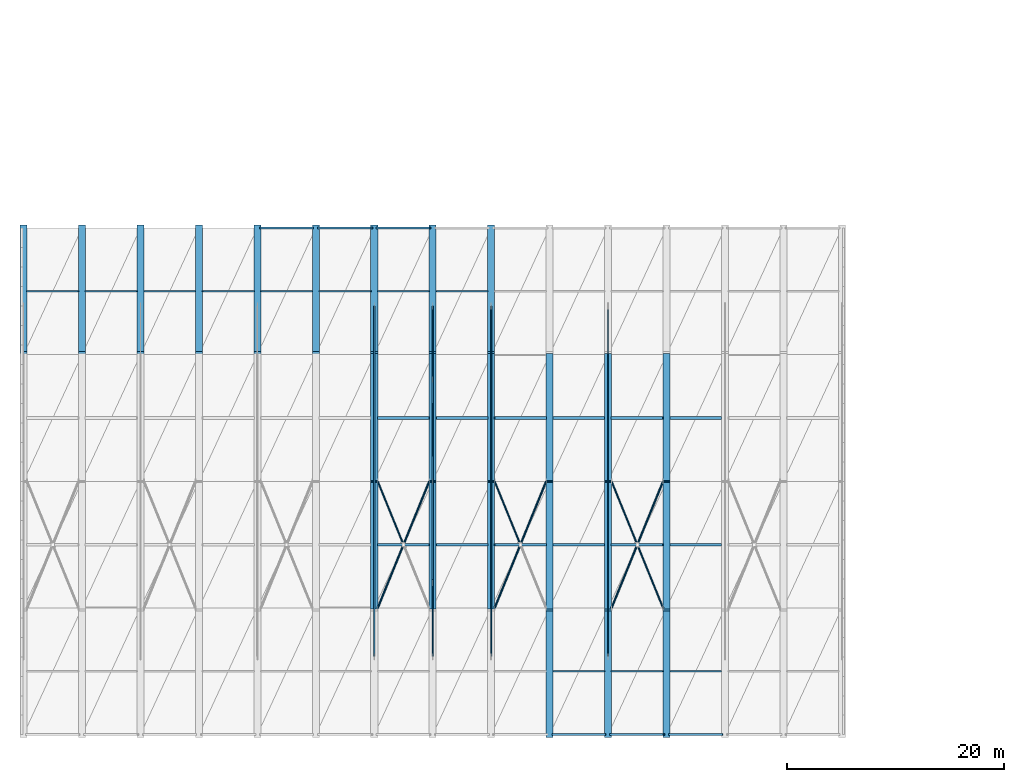
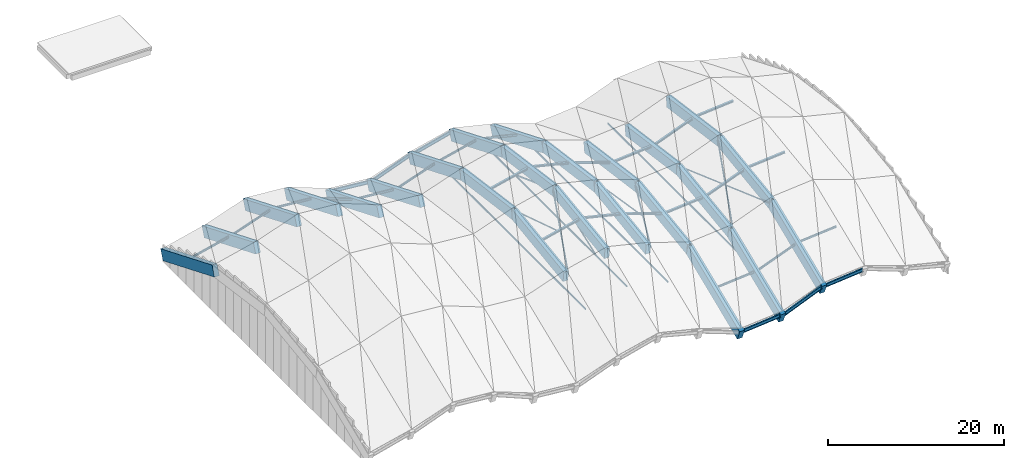
# One storey, part 2 of 22: 36 members, 30 beams.
"""IFC4 building model written with IfcOpenShell, lengths in metres."""

from ifc_helpers import new_model, si_unit, direction, frame, origin, origin_2d, place, context, subcontext, project, spatial, rectangle, hollow_rectangle, hollow_circle, i_section, extrude, material, material_profile, profile_set, type_object, element, save


model = new_model("IFC4")

# Units and contexts
model_context = context("Model", 3, precision=1e-05, world=origin(), true_north=direction((0.0, 1.0)))
body_context = subcontext(model_context, "Body", "Model", "MODEL_VIEW")
ifc_project = project(units=[si_unit("LENGTHUNIT", "METRE"), si_unit("AREAUNIT", "SQUARE_METRE"), si_unit("VOLUMEUNIT", "CUBIC_METRE"), si_unit("PLANEANGLEUNIT", "RADIAN"), si_unit("MASSUNIT", "GRAM", prefix="KILO")], contexts=[model_context])

# Site, building, storey
site_placement = place(None, origin())
site = spatial("IfcSite", under=ifc_project, at=site_placement, CompositionType="ELEMENT")
building_placement = place(site_placement, origin())
building = spatial("IfcBuilding", under=site, at=building_placement, Name="Lusvemor Sports Hall", CompositionType="ELEMENT")
storey_placement = place(building_placement, frame((0.0, 0.0, 23.39990234375)))
storey = spatial("IfcBuildingStorey", under=building, at=storey_placement, Name="Roof", CompositionType="ELEMENT", Elevation=23.39990234375)

# Beams
ifc_material_1 = material(Name="Concrete C40/50", Category="concrete")
ifc_material_profile_1 = material_profile(ifc_material_1, rectangle(XDim=0.64990234375, YDim=1.449951171875, at=origin_2d()), Name="RC650x1450")
ifc_profile_set_1 = profile_set([ifc_material_profile_1], Name="Concrete C40/50")
beam_type_1 = type_object("IfcBeamType", Name="ARCH_RIB_V1", PredefinedType="T_BEAM", material=ifc_profile_set_1)
for number, where, z_axis, x_axis, name in (
    (1, (0.0, 35.10009765625, -7.052490234375), (0.0, 0.924542194829, -0.381079689804), (-1.0, 0.0, 0.0), "Wave Barrel-Vault Arch Rib S00 Seg 4"),
    (2, (5.39990234375, 35.10009765625, -5.76171875), (0.0, 0.924542194829, -0.381079689804), (-1.0, 0.0, 0.0), "Wave Barrel-Vault Arch Rib S01 Seg 4"),
    (3, (10.800048828125, 35.10009765625, -3.896728515625), (0.0, 0.924542194829, -0.381079689804), (-1.0, 0.0, 0.0), "Wave Barrel-Vault Arch Rib S02 Seg 4"),
    (4, (16.199951171875, 35.10009765625, -4.357421875), (0.0, 0.924542194829, -0.381079689804), (-1.0, 0.0, 0.0), "Wave Barrel-Vault Arch Rib S03 Seg 4"),
    (5, (21.60009765625, 35.10009765625, -6.427490234375), (0.0, 0.924542194829, -0.381079689804), (-1.0, 0.0, 0.0), "Wave Barrel-Vault Arch Rib S04 Seg 4"),
    (6, (27.0, 35.10009765625, -6.887939453125), (0.0, 0.924542194829, -0.381079689804), (-1.0, 0.0, 0.0), "Wave Barrel-Vault Arch Rib S05 Seg 4"),
):
    element("IfcBeam", number, at=place(storey_placement, frame(where, z_axis=z_axis, x_axis=x_axis)), inside=storey, type_object=beam_type_1, Name=name, PredefinedType="T_BEAM", context=body_context, shape_type="SweptSolid", body=[
        extrude(rectangle(XDim=0.64990234375, YDim=1.449951171875, at=origin_2d()), origin(), (0.0, 0.0, 1.0), 12.65478515625),
    ])
beam_1_placement = place(storey_placement, frame((32.39990234375, 11.699951171875, -5.02294921875), z_axis=(0.0, 0.990693933235, 0.136108525268), x_axis=(-1.0, 0.0, 0.0)))
element("IfcBeam", 7, at=beam_1_placement, inside=storey, type_object=beam_type_1, Name="Wave Barrel-Vault Arch Rib S06 Seg 2", PredefinedType="T_BEAM", context=body_context, shape_type="SweptSolid", body=[
    extrude(rectangle(XDim=0.64990234375, YDim=1.449951171875, at=origin_2d()), origin(), (0.0, 0.0, 1.0), 11.809814453125),
])
beam_2_placement = place(storey_placement, frame((32.39990234375, 23.39990234375, -3.41552734375), z_axis=(0.0, 0.990694316195, -0.13610573779), x_axis=(-1.0, 0.0, 0.0)))
element("IfcBeam", 8, at=beam_2_placement, inside=storey, type_object=beam_type_1, Name="Wave Barrel-Vault Arch Rib S06 Seg 3", PredefinedType="T_BEAM", context=body_context, shape_type="SweptSolid", body=[
    extrude(rectangle(XDim=0.64990234375, YDim=1.449951171875, at=origin_2d()), origin(), (0.0, 0.0, 1.0), 11.81005859375),
])
beam_3_placement = place(storey_placement, frame((32.39990234375, 35.10009765625, -5.02294921875), z_axis=(0.0, 0.924542194829, -0.381079689804), x_axis=(-1.0, 0.0, 0.0)))
element("IfcBeam", 9, at=beam_3_placement, inside=storey, type_object=beam_type_1, Name="Wave Barrel-Vault Arch Rib S06 Seg 4", PredefinedType="T_BEAM", context=body_context, shape_type="SweptSolid", body=[
    extrude(rectangle(XDim=0.64990234375, YDim=1.449951171875, at=origin_2d()), origin(), (0.0, 0.0, 1.0), 12.65478515625),
])
beam_4_placement = place(storey_placement, frame((37.800048828125, 11.699951171875, -3.732421875), z_axis=(0.0, 0.990693933235, 0.136108525268), x_axis=(-1.0, 0.0, 0.0)))
element("IfcBeam", 10, at=beam_4_placement, inside=storey, type_object=beam_type_1, Name="Wave Barrel-Vault Arch Rib S07 Seg 2", PredefinedType="T_BEAM", context=body_context, shape_type="SweptSolid", body=[
    extrude(rectangle(XDim=0.64990234375, YDim=1.449951171875, at=origin_2d()), origin(), (0.0, 0.0, 1.0), 11.809814453125),
])
beam_5_placement = place(storey_placement, frame((37.800048828125, 23.39990234375, -2.125), z_axis=(0.0, 0.990694316195, -0.13610573779), x_axis=(-1.0, 0.0, 0.0)))
element("IfcBeam", 11, at=beam_5_placement, inside=storey, type_object=beam_type_1, Name="Wave Barrel-Vault Arch Rib S07 Seg 3", PredefinedType="T_BEAM", context=body_context, shape_type="SweptSolid", body=[
    extrude(rectangle(XDim=0.64990234375, YDim=1.449951171875, at=origin_2d()), origin(), (0.0, 0.0, 1.0), 11.81005859375),
])
beam_6_placement = place(storey_placement, frame((37.800048828125, 35.10009765625, -3.732421875), z_axis=(0.0, 0.924542194829, -0.381079689804), x_axis=(-1.0, 0.0, 0.0)))
element("IfcBeam", 12, at=beam_6_placement, inside=storey, type_object=beam_type_1, Name="Wave Barrel-Vault Arch Rib S07 Seg 4", PredefinedType="T_BEAM", context=body_context, shape_type="SweptSolid", body=[
    extrude(rectangle(XDim=0.64990234375, YDim=1.449951171875, at=origin_2d()), origin(), (0.0, 0.0, 1.0), 12.65478515625),
])
beam_7_placement = place(storey_placement, frame((43.199951171875, 11.699951171875, -5.02294921875), z_axis=(0.0, 0.990693933235, 0.136108525268), x_axis=(-1.0, 0.0, 0.0)))
element("IfcBeam", 13, at=beam_7_placement, inside=storey, type_object=beam_type_1, Name="Wave Barrel-Vault Arch Rib S08 Seg 2", PredefinedType="T_BEAM", context=body_context, shape_type="SweptSolid", body=[
    extrude(rectangle(XDim=0.64990234375, YDim=1.449951171875, at=origin_2d()), origin(), (0.0, 0.0, 1.0), 11.809814453125),
])
beam_8_placement = place(storey_placement, frame((43.199951171875, 23.39990234375, -3.41552734375), z_axis=(0.0, 0.990694316195, -0.13610573779), x_axis=(-1.0, 0.0, 0.0)))
element("IfcBeam", 14, at=beam_8_placement, inside=storey, type_object=beam_type_1, Name="Wave Barrel-Vault Arch Rib S08 Seg 3", PredefinedType="T_BEAM", context=body_context, shape_type="SweptSolid", body=[
    extrude(rectangle(XDim=0.64990234375, YDim=1.449951171875, at=origin_2d()), origin(), (0.0, 0.0, 1.0), 11.81005859375),
])
for number, where, z_axis, x_axis, name in (
    (15, (43.199951171875, 35.10009765625, -5.02294921875), (0.0, 0.924542194829, -0.381079689804), (-1.0, 0.0, 0.0), "Wave Barrel-Vault Arch Rib S08 Seg 4"),
    (16, (48.60009765625, 0.0, -11.71044921875), (0.0, 0.924542194829, 0.381079689804), (-1.0, 0.0, 0.0), "Wave Barrel-Vault Arch Rib S09 Seg 1"),
):
    element("IfcBeam", number, at=place(storey_placement, frame(where, z_axis=z_axis, x_axis=x_axis)), inside=storey, type_object=beam_type_1, Name=name, PredefinedType="T_BEAM", context=body_context, shape_type="SweptSolid", body=[
        extrude(rectangle(XDim=0.64990234375, YDim=1.449951171875, at=origin_2d()), origin(), (0.0, 0.0, 1.0), 12.65478515625),
    ])
beam_9_placement = place(storey_placement, frame((48.60009765625, 11.699951171875, -6.887939453125), z_axis=(0.0, 0.990693933235, 0.136108525268), x_axis=(-1.0, 0.0, 0.0)))
element("IfcBeam", 17, at=beam_9_placement, inside=storey, type_object=beam_type_1, Name="Wave Barrel-Vault Arch Rib S09 Seg 2", PredefinedType="T_BEAM", context=body_context, shape_type="SweptSolid", body=[
    extrude(rectangle(XDim=0.64990234375, YDim=1.449951171875, at=origin_2d()), origin(), (0.0, 0.0, 1.0), 11.809814453125),
])
beam_10_placement = place(storey_placement, frame((48.60009765625, 23.39990234375, -5.280517578125), z_axis=(0.0, 0.990694316195, -0.13610573779), x_axis=(-1.0, 0.0, 0.0)))
element("IfcBeam", 18, at=beam_10_placement, inside=storey, type_object=beam_type_1, Name="Wave Barrel-Vault Arch Rib S09 Seg 3", PredefinedType="T_BEAM", context=body_context, shape_type="SweptSolid", body=[
    extrude(rectangle(XDim=0.64990234375, YDim=1.449951171875, at=origin_2d()), origin(), (0.0, 0.0, 1.0), 11.81005859375),
])
beam_11_placement = place(storey_placement, frame((54.0, 0.0, -11.25), z_axis=(0.0, 0.924542194829, 0.381079689804), x_axis=(-1.0, 0.0, 0.0)))
element("IfcBeam", 19, at=beam_11_placement, inside=storey, type_object=beam_type_1, Name="Wave Barrel-Vault Arch Rib S10 Seg 1", PredefinedType="T_BEAM", context=body_context, shape_type="SweptSolid", body=[
    extrude(rectangle(XDim=0.64990234375, YDim=1.449951171875, at=origin_2d()), origin(), (0.0, 0.0, 1.0), 12.65478515625),
])
beam_12_placement = place(storey_placement, frame((54.0, 11.699951171875, -6.427490234375), z_axis=(0.0, 0.9906911455, 0.13612881483), x_axis=(-1.0, 0.0, 0.0)))
element("IfcBeam", 20, at=beam_12_placement, inside=storey, type_object=beam_type_1, Name="Wave Barrel-Vault Arch Rib S10 Seg 2", PredefinedType="T_BEAM", context=body_context, shape_type="SweptSolid", body=[
    extrude(rectangle(XDim=0.64990234375, YDim=1.449951171875, at=origin_2d()), origin(), (0.0, 0.0, 1.0), 11.809814453125),
])
beam_13_placement = place(storey_placement, frame((54.0, 23.39990234375, -4.81982421875), z_axis=(0.0, 0.990691528573, -0.136126026952), x_axis=(-1.0, 0.0, 0.0)))
element("IfcBeam", 21, at=beam_13_placement, inside=storey, type_object=beam_type_1, Name="Wave Barrel-Vault Arch Rib S10 Seg 3", PredefinedType="T_BEAM", context=body_context, shape_type="SweptSolid", body=[
    extrude(rectangle(XDim=0.64990234375, YDim=1.449951171875, at=origin_2d()), origin(), (0.0, 0.0, 1.0), 11.81005859375),
])
beam_14_placement = place(storey_placement, frame((59.39990234375, 0.0, -9.179931640625), z_axis=(0.0, 0.924542194829, 0.381079689804), x_axis=(-1.0, 0.0, 0.0)))
element("IfcBeam", 22, at=beam_14_placement, inside=storey, type_object=beam_type_1, Name="Wave Barrel-Vault Arch Rib S11 Seg 1", PredefinedType="T_BEAM", context=body_context, shape_type="SweptSolid", body=[
    extrude(rectangle(XDim=0.64990234375, YDim=1.449951171875, at=origin_2d()), origin(), (0.0, 0.0, 1.0), 12.65478515625),
])
beam_15_placement = place(storey_placement, frame((59.39990234375, 11.699951171875, -4.357421875), z_axis=(0.0, 0.990693933235, 0.136108525268), x_axis=(-1.0, 0.0, 0.0)))
element("IfcBeam", 23, at=beam_15_placement, inside=storey, type_object=beam_type_1, Name="Wave Barrel-Vault Arch Rib S11 Seg 2", PredefinedType="T_BEAM", context=body_context, shape_type="SweptSolid", body=[
    extrude(rectangle(XDim=0.64990234375, YDim=1.449951171875, at=origin_2d()), origin(), (0.0, 0.0, 1.0), 11.809814453125),
])
beam_16_placement = place(storey_placement, frame((59.39990234375, 23.39990234375, -2.75), z_axis=(0.0, 0.990694316195, -0.13610573779), x_axis=(-1.0, 0.0, 0.0)))
element("IfcBeam", 24, at=beam_16_placement, inside=storey, type_object=beam_type_1, Name="Wave Barrel-Vault Arch Rib S11 Seg 3", PredefinedType="T_BEAM", context=body_context, shape_type="SweptSolid", body=[
    extrude(rectangle(XDim=0.64990234375, YDim=1.449951171875, at=origin_2d()), origin(), (0.0, 0.0, 1.0), 11.81005859375),
])

# Members
ifc_material_2 = material(Name="Steel S355", Category="steel")
ifc_material_profile_2 = material_profile(ifc_material_2, hollow_circle(Radius=0.084228515625, WallThickness=0.008056640625, at=origin_2d()), Name="CHS168.3x8.0")
ifc_profile_set_2 = profile_set([ifc_material_profile_2], Name="Steel S355")
member_type_1 = type_object("IfcMemberType", Name="BRACE_ROOF_168", PredefinedType="BRACE", material=ifc_profile_set_2)
member_1_placement = place(storey_placement, frame((32.719970703125, 23.39990234375, -3.260498046875), z_axis=(0.376743898559, -0.925978270579, -0.02506546057), x_axis=(0.926269293289, 0.376862304178, 0.0)))
element("IfcMember", 25, at=member_1_placement, inside=storey, type_object=member_type_1, Name="Wave Roof Brace 07-B1", PredefinedType="BRACE", context=body_context, shape_type="SweptSolid", body=[
    extrude(hollow_circle(Radius=0.084228515625, WallThickness=0.008056640625, at=origin_2d()), origin(), (0.0, 0.0, 1.0), 6.087646484375),
])
member_2_placement = place(storey_placement, frame((43.52001953125, 23.39990234375, -3.260498046875), z_axis=(0.363359918134, -0.893140687566, -0.265083537979), x_axis=(0.926277861493, 0.37684124417, 0.0)))
element("IfcMember", 26, at=member_2_placement, inside=storey, type_object=member_type_1, Name="Wave Roof Brace 09-B1", PredefinedType="BRACE", context=body_context, shape_type="SweptSolid", body=[
    extrude(hollow_circle(Radius=0.084228515625, WallThickness=0.008056640625, at=origin_2d()), origin(), (0.0, 0.0, 1.0), 6.31982421875),
])
member_3_placement = place(storey_placement, frame((54.320068359375, 23.39990234375, -4.664794921875), z_axis=(0.376575916319, -0.925663933982, 0.03656310398), x_axis=(0.926283296861, 0.376827883729, 0.0)))
element("IfcMember", 27, at=member_3_placement, inside=storey, type_object=member_type_1, Name="Wave Roof Brace 11-B1", PredefinedType="BRACE", context=body_context, shape_type="SweptSolid", body=[
    extrude(hollow_circle(Radius=0.084228515625, WallThickness=0.008056640625, at=origin_2d()), origin(), (0.0, 0.0, 1.0), 6.089599609375),
])
member_4_placement = place(storey_placement, frame((56.78662109375, 17.337158203125, -4.42529296875), z_axis=(0.376595793631, -0.925654340531, 0.036601230529), x_axis=(0.926274990645, 0.376848300655, 0.0)))
element("IfcMember", 28, at=member_4_placement, inside=storey, type_object=member_type_1, Name="Wave Roof Brace 11-B2", PredefinedType="BRACE", context=body_context, shape_type="SweptSolid", body=[
    extrude(hollow_circle(Radius=0.084228515625, WallThickness=0.008056640625, at=origin_2d()), origin(), (0.0, 0.0, 1.0), 6.090087890625),
])
ifc_material_3 = material(Name="Steel S355", Category="steel")
ifc_material_profile_3 = material_profile(ifc_material_3, hollow_circle(Radius=0.096923828125, WallThickness=0.010009765625, at=origin_2d()), Name="CHS193.7x10.0")
ifc_profile_set_3 = profile_set([ifc_material_profile_3], Name="Steel S355")
member_type_2 = type_object("IfcMemberType", Name="BRACE_ROOF_193", PredefinedType="BRACE", material=ifc_profile_set_3)
member_5_placement = place(storey_placement, frame((32.719970703125, 11.699951171875, -4.867919921875), z_axis=(0.367303226969, 0.9028195387, 0.22361846972), x_axis=(-0.92627584737, 0.376846194858, 0.0)))
element("IfcMember", 29, at=member_5_placement, inside=storey, type_object=member_type_2, Name="Wave Roof Brace 07-A", PredefinedType="BRACE", context=body_context, shape_type="SweptSolid", body=[
    extrude(hollow_circle(Radius=0.096923828125, WallThickness=0.010009765625, at=origin_2d()), origin(), (0.0, 0.0, 1.0), 12.959228515625),
])
member_6_placement = place(storey_placement, frame((43.52001953125, 11.699951171875, -4.867919921875), z_axis=(0.376767870592, 0.92608332884, -0.02038724437), x_axis=(-0.92627584737, 0.376846194858, 0.0)))
element("IfcMember", 30, at=member_6_placement, inside=storey, type_object=member_type_2, Name="Wave Roof Brace 09-A", PredefinedType="BRACE", context=body_context, shape_type="SweptSolid", body=[
    extrude(hollow_circle(Radius=0.096923828125, WallThickness=0.010009765625, at=origin_2d()), origin(), (0.0, 0.0, 1.0), 12.6337890625),
])
member_7_placement = place(storey_placement, frame((54.320068359375, 11.699951171875, -6.2724609375), z_axis=(0.361823140295, 0.889349661608, 0.279537465367), x_axis=(-0.92627584737, 0.376846194858, 0.0)))
element("IfcMember", 31, at=member_7_placement, inside=storey, type_object=member_type_2, Name="Wave Roof Brace 11-A", PredefinedType="BRACE", context=body_context, shape_type="SweptSolid", body=[
    extrude(hollow_circle(Radius=0.096923828125, WallThickness=0.010009765625, at=origin_2d()), origin(), (0.0, 0.0, 1.0), 13.155517578125),
])
ifc_material_4 = material(Name="Steel S355", Category="steel")
ifc_material_profile_4 = material_profile(ifc_material_4, i_section(OverallWidth=0.14794921875, OverallDepth=0.26611328125, WebThickness=0.007568359375, FlangeThickness=0.012939453125, FilletRadius=0.012939453125, at=origin_2d()), Name="W250x44.8")
ifc_profile_set_4 = profile_set([ifc_material_profile_4], Name="Steel S355")
member_type_3 = type_object("IfcMemberType", Name="PURL_WAVE_250", PredefinedType="PURLIN", material=ifc_profile_set_4)
member_8_placement = place(storey_placement, frame((0.320068359375, 40.949951171875, -8.861328125), z_axis=(0.972616410146, 0.0, 0.232416261726), x_axis=(0.0, 1.0, 0.0)))
element("IfcMember", 32, at=member_8_placement, inside=storey, type_object=member_type_3, Name="Wave Roof Purlin 01-4", PredefinedType="PURLIN", context=body_context, shape_type="SweptSolid", body=[
    extrude(i_section(OverallWidth=0.14794921875, OverallDepth=0.26611328125, WebThickness=0.007568359375, FlangeThickness=0.012939453125, FilletRadius=0.012939453125, at=origin_2d()), origin(), (0.0, 0.0, 1.0), 4.89404296875),
])
member_9_placement = place(storey_placement, frame((5.719970703125, 40.949951171875, -7.546142578125), z_axis=(0.945210062385, 0.0, 0.326462766585), x_axis=(0.0, 1.0, 0.0)))
element("IfcMember", 33, at=member_9_placement, inside=storey, type_object=member_type_3, Name="Wave Roof Purlin 02-4", PredefinedType="PURLIN", context=body_context, shape_type="SweptSolid", body=[
    extrude(i_section(OverallWidth=0.14794921875, OverallDepth=0.26611328125, WebThickness=0.007568359375, FlangeThickness=0.012939453125, FilletRadius=0.012939453125, at=origin_2d()), origin(), (0.0, 0.0, 1.0), 5.035888671875),
])
member_10_placement = place(storey_placement, frame((11.1201171875, 40.949951171875, -5.802001953125), z_axis=(0.996381726527, 0.0, -0.084990911531), x_axis=(0.0, 1.0, 0.0)))
element("IfcMember", 34, at=member_10_placement, inside=storey, type_object=member_type_3, Name="Wave Roof Purlin 03-4", PredefinedType="PURLIN", context=body_context, shape_type="SweptSolid", body=[
    extrude(i_section(OverallWidth=0.14794921875, OverallDepth=0.26611328125, WebThickness=0.007568359375, FlangeThickness=0.012939453125, FilletRadius=0.012939453125, at=origin_2d()), origin(), (0.0, 0.0, 1.0), 4.777099609375),
])
member_11_placement = place(storey_placement, frame((16.52001953125, 40.949951171875, -6.379150390625), z_axis=(0.933759722314, 0.0, -0.357900518277), x_axis=(0.0, 1.0, 0.0)))
element("IfcMember", 35, at=member_11_placement, inside=storey, type_object=member_type_3, Name="Wave Roof Purlin 04-4", PredefinedType="PURLIN", context=body_context, shape_type="SweptSolid", body=[
    extrude(i_section(OverallWidth=0.14794921875, OverallDepth=0.26611328125, WebThickness=0.007568359375, FlangeThickness=0.012939453125, FilletRadius=0.012939453125, at=origin_2d()), origin(), (0.0, 0.0, 1.0), 5.09765625),
])
member_12_placement = place(storey_placement, frame((21.919921875, 40.949951171875, -8.33251953125), z_axis=(0.996382095668, 0.0, -0.084986583838), x_axis=(0.0, 1.0, 0.0)))
element("IfcMember", 36, at=member_12_placement, inside=storey, type_object=member_type_3, Name="Wave Roof Purlin 05-4", PredefinedType="PURLIN", context=body_context, shape_type="SweptSolid", body=[
    extrude(i_section(OverallWidth=0.14794921875, OverallDepth=0.26611328125, WebThickness=0.007568359375, FlangeThickness=0.012939453125, FilletRadius=0.012939453125, at=origin_2d()), origin(), (0.0, 0.0, 1.0), 4.77734375),
])
member_13_placement = place(storey_placement, frame((27.320068359375, 40.949951171875, -8.67236328125), z_axis=(0.945210062385, 0.0, 0.326462766585), x_axis=(0.0, 1.0, 0.0)))
element("IfcMember", 37, at=member_13_placement, inside=storey, type_object=member_type_3, Name="Wave Roof Purlin 06-4", PredefinedType="PURLIN", context=body_context, shape_type="SweptSolid", body=[
    extrude(i_section(OverallWidth=0.14794921875, OverallDepth=0.26611328125, WebThickness=0.007568359375, FlangeThickness=0.012939453125, FilletRadius=0.012939453125, at=origin_2d()), origin(), (0.0, 0.0, 1.0), 5.035888671875),
])
member_14_placement = place(storey_placement, frame((32.719970703125, 40.949951171875, -6.83203125), z_axis=(0.972605132435, 0.0, 0.232463451667), x_axis=(0.0, 1.0, 0.0)))
element("IfcMember", 38, at=member_14_placement, inside=storey, type_object=member_type_3, Name="Wave Roof Purlin 07-4", PredefinedType="PURLIN", context=body_context, shape_type="SweptSolid", body=[
    extrude(i_section(OverallWidth=0.14794921875, OverallDepth=0.26611328125, WebThickness=0.007568359375, FlangeThickness=0.012939453125, FilletRadius=0.012939453125, at=origin_2d()), origin(), (0.0, 0.0, 1.0), 4.89404296875),
])
member_15_placement = place(storey_placement, frame((38.1201171875, 40.949951171875, -5.6943359375), z_axis=(0.972602436498, 0.0, -0.232474730923), x_axis=(0.0, 1.0, 0.0)))
element("IfcMember", 39, at=member_15_placement, inside=storey, type_object=member_type_3, Name="Wave Roof Purlin 08-4", PredefinedType="PURLIN", context=body_context, shape_type="SweptSolid", body=[
    extrude(i_section(OverallWidth=0.14794921875, OverallDepth=0.26611328125, WebThickness=0.007568359375, FlangeThickness=0.012939453125, FilletRadius=0.012939453125, at=origin_2d()), origin(), (0.0, 0.0, 1.0), 4.893798828125),
])
member_16_placement = place(storey_placement, frame((48.919921875, 5.85009765625, -8.738525390625), z_axis=(0.996382095668, 0.0, 0.084986583838), x_axis=(0.0, 1.0, 0.0)))
element("IfcMember", 40, at=member_16_placement, inside=storey, type_object=member_type_3, Name="Wave Roof Purlin 10-1", PredefinedType="PURLIN", context=body_context, shape_type="SweptSolid", body=[
    extrude(i_section(OverallWidth=0.14794921875, OverallDepth=0.26611328125, WebThickness=0.007568359375, FlangeThickness=0.012939453125, FilletRadius=0.012939453125, at=origin_2d()), origin(), (0.0, 0.0, 1.0), 4.77734375),
])
member_17_placement = place(storey_placement, frame((54.320068359375, 5.85009765625, -8.20361328125), z_axis=(0.933759722314, 0.0, 0.357900518277), x_axis=(0.0, 1.0, 0.0)))
element("IfcMember", 41, at=member_17_placement, inside=storey, type_object=member_type_3, Name="Wave Roof Purlin 11-1", PredefinedType="PURLIN", context=body_context, shape_type="SweptSolid", body=[
    extrude(i_section(OverallWidth=0.14794921875, OverallDepth=0.26611328125, WebThickness=0.007568359375, FlangeThickness=0.012939453125, FilletRadius=0.012939453125, at=origin_2d()), origin(), (0.0, 0.0, 1.0), 5.09765625),
])
member_18_placement = place(storey_placement, frame((59.719970703125, 5.85009765625, -6.2080078125), z_axis=(0.996382095668, 0.0, 0.084986583838), x_axis=(0.0, 1.0, 0.0)))
element("IfcMember", 42, at=member_18_placement, inside=storey, type_object=member_type_3, Name="Wave Roof Purlin 12-1", PredefinedType="PURLIN", context=body_context, shape_type="SweptSolid", body=[
    extrude(i_section(OverallWidth=0.14794921875, OverallDepth=0.26611328125, WebThickness=0.007568359375, FlangeThickness=0.012939453125, FilletRadius=0.012939453125, at=origin_2d()), origin(), (0.0, 0.0, 1.0), 4.77734375),
])
ifc_material_5 = material(Name="Steel S355", Category="steel")
ifc_material_profile_5 = material_profile(ifc_material_5, i_section(OverallWidth=0.25390625, OverallDepth=0.2529296875, WebThickness=0.008544921875, FlangeThickness=0.01416015625, FilletRadius=0.012939453125, at=origin_2d()), Name="W250x73.0")
ifc_profile_set_5 = profile_set([ifc_material_profile_5], Name="Steel S355")
member_type_4 = type_object("IfcMemberType", Name="PURL_WAVE_250H", PredefinedType="PURLIN", material=ifc_profile_set_5)
for number, where, z_axis, x_axis, name in (
    (43, (32.719970703125, 17.550048828125, -3.59912109375), (0.972605132435, 0.0, 0.232463451667), (0.0, 1.0, 0.0), "Wave Roof Purlin 07-2"),
    (44, (32.719970703125, 29.25, -3.59912109375), (0.972605132435, 0.0, 0.232463451667), (0.0, 1.0, 0.0), "Wave Roof Purlin 07-3"),
):
    element("IfcMember", number, at=place(storey_placement, frame(where, z_axis=z_axis, x_axis=x_axis)), inside=storey, type_object=member_type_4, Name=name, PredefinedType="PURLIN", context=body_context, shape_type="SweptSolid", body=[
        extrude(i_section(OverallWidth=0.25390625, OverallDepth=0.2529296875, WebThickness=0.008544921875, FlangeThickness=0.01416015625, FilletRadius=0.012939453125, at=origin_2d()), origin(), (0.0, 0.0, 1.0), 4.89404296875),
    ])
for number, where, z_axis, x_axis, name in (
    (45, (38.1201171875, 17.550048828125, -2.46142578125), (0.972602436498, 0.0, -0.232474730923), (0.0, 1.0, 0.0), "Wave Roof Purlin 08-2"),
    (46, (38.1201171875, 29.25, -2.46142578125), (0.972602436498, 0.0, -0.232474730923), (0.0, 1.0, 0.0), "Wave Roof Purlin 08-3"),
):
    element("IfcMember", number, at=place(storey_placement, frame(where, z_axis=z_axis, x_axis=x_axis)), inside=storey, type_object=member_type_4, Name=name, PredefinedType="PURLIN", context=body_context, shape_type="SweptSolid", body=[
        extrude(i_section(OverallWidth=0.25390625, OverallDepth=0.2529296875, WebThickness=0.008544921875, FlangeThickness=0.01416015625, FilletRadius=0.012939453125, at=origin_2d()), origin(), (0.0, 0.0, 1.0), 4.893798828125),
    ])
for number, where, z_axis, x_axis, name in (
    (47, (43.52001953125, 17.550048828125, -3.796142578125), (0.945225021317, 0.0, -0.326419452661), (0.0, 1.0, 0.0), "Wave Roof Purlin 09-2"),
    (48, (43.52001953125, 29.25, -3.796142578125), (0.945225021317, 0.0, -0.326419452661), (0.0, 1.0, 0.0), "Wave Roof Purlin 09-3"),
):
    element("IfcMember", number, at=place(storey_placement, frame(where, z_axis=z_axis, x_axis=x_axis)), inside=storey, type_object=member_type_4, Name=name, PredefinedType="PURLIN", context=body_context, shape_type="SweptSolid", body=[
        extrude(i_section(OverallWidth=0.25390625, OverallDepth=0.2529296875, WebThickness=0.008544921875, FlangeThickness=0.01416015625, FilletRadius=0.012939453125, at=origin_2d()), origin(), (0.0, 0.0, 1.0), 5.035888671875),
    ])
for number, where, z_axis, x_axis, name in (
    (49, (48.919921875, 17.550048828125, -5.505126953125), (0.996382095668, 0.0, 0.084986583838), (0.0, 1.0, 0.0), "Wave Roof Purlin 10-2"),
    (50, (48.919921875, 29.25, -5.505126953125), (0.996382095668, 0.0, 0.084986583838), (0.0, 1.0, 0.0), "Wave Roof Purlin 10-3"),
):
    element("IfcMember", number, at=place(storey_placement, frame(where, z_axis=z_axis, x_axis=x_axis)), inside=storey, type_object=member_type_4, Name=name, PredefinedType="PURLIN", context=body_context, shape_type="SweptSolid", body=[
        extrude(i_section(OverallWidth=0.25390625, OverallDepth=0.2529296875, WebThickness=0.008544921875, FlangeThickness=0.01416015625, FilletRadius=0.012939453125, at=origin_2d()), origin(), (0.0, 0.0, 1.0), 4.77734375),
    ])
for number, where, z_axis, x_axis, name in (
    (51, (54.320068359375, 17.550048828125, -4.9716796875), (0.933743716319, 0.0, 0.357942275005), (0.0, 1.0, 0.0), "Wave Roof Purlin 11-2"),
    (52, (54.320068359375, 29.25, -4.9716796875), (0.933743716319, 0.0, 0.357942275005), (0.0, 1.0, 0.0), "Wave Roof Purlin 11-3"),
):
    element("IfcMember", number, at=place(storey_placement, frame(where, z_axis=z_axis, x_axis=x_axis)), inside=storey, type_object=member_type_4, Name=name, PredefinedType="PURLIN", context=body_context, shape_type="SweptSolid", body=[
        extrude(i_section(OverallWidth=0.25390625, OverallDepth=0.2529296875, WebThickness=0.008544921875, FlangeThickness=0.01416015625, FilletRadius=0.012939453125, at=origin_2d()), origin(), (0.0, 0.0, 1.0), 5.09765625),
    ])
for number, where, z_axis, x_axis, name in (
    (53, (59.719970703125, 17.550048828125, -2.974609375), (0.996377766922, 0.0, 0.085037318775), (0.0, 1.0, 0.0), "Wave Roof Purlin 12-2"),
    (54, (59.719970703125, 29.25, -2.974609375), (0.996377766922, 0.0, 0.085037318775), (0.0, 1.0, 0.0), "Wave Roof Purlin 12-3"),
):
    element("IfcMember", number, at=place(storey_placement, frame(where, z_axis=z_axis, x_axis=x_axis)), inside=storey, type_object=member_type_4, Name=name, PredefinedType="PURLIN", context=body_context, shape_type="SweptSolid", body=[
        extrude(i_section(OverallWidth=0.25390625, OverallDepth=0.2529296875, WebThickness=0.008544921875, FlangeThickness=0.01416015625, FilletRadius=0.012939453125, at=origin_2d()), origin(), (0.0, 0.0, 1.0), 4.77734375),
    ])

# Beams
ifc_material_6 = material(Name="Steel S355", Category="steel")
ifc_material_profile_6 = material_profile(ifc_material_6, i_section(OverallWidth=0.19189453125, OverallDepth=0.462890625, WebThickness=0.010498046875, FlangeThickness=0.017578125, FilletRadius=0.01806640625, at=origin_2d()), Name="W460x89.0")
ifc_profile_set_6 = profile_set([ifc_material_profile_6], Name="Steel S355")
beam_type_2 = type_object("IfcBeamType", Name="SPAND_WAVE_EAVE", PredefinedType="SPANDREL", material=ifc_profile_set_6)
beam_17_placement = place(storey_placement, frame((21.820068359375, 46.800048828125, -10.826416015625), z_axis=(0.995714135821, 0.0, -0.092484375581), x_axis=(0.0, 1.0, 0.0)))
element("IfcBeam", 55, at=beam_17_placement, inside=storey, type_object=beam_type_2, Name="Wave Eave Spandrel N-05", PredefinedType="SPANDREL", context=body_context, shape_type="SweptSolid", body=[
    extrude(i_section(OverallWidth=0.19189453125, OverallDepth=0.462890625, WebThickness=0.010498046875, FlangeThickness=0.017578125, FilletRadius=0.01806640625, at=origin_2d()), origin(), (0.0, 0.0, 1.0), 4.981201171875),
])
beam_18_placement = place(storey_placement, frame((27.219970703125, 46.800048828125, -11.309326171875), z_axis=(0.936018292282, 0.0, 0.351951355323), x_axis=(0.0, 1.0, 0.0)))
element("IfcBeam", 56, at=beam_18_placement, inside=storey, type_object=beam_type_2, Name="Wave Eave Spandrel N-06", PredefinedType="SPANDREL", context=body_context, shape_type="SweptSolid", body=[
    extrude(i_section(OverallWidth=0.19189453125, OverallDepth=0.462890625, WebThickness=0.010498046875, FlangeThickness=0.017578125, FilletRadius=0.01806640625, at=origin_2d()), origin(), (0.0, 0.0, 1.0), 5.299072265625),
])
beam_19_placement = place(storey_placement, frame((32.6201171875, 46.800048828125, -9.43212890625), z_axis=(0.967777943077, 0.0, 0.251805188379), x_axis=(0.0, 1.0, 0.0)))
element("IfcBeam", 57, at=beam_19_placement, inside=storey, type_object=beam_type_2, Name="Wave Eave Spandrel N-07", PredefinedType="SPANDREL", context=body_context, shape_type="SweptSolid", body=[
    extrude(i_section(OverallWidth=0.19189453125, OverallDepth=0.462890625, WebThickness=0.010498046875, FlangeThickness=0.017578125, FilletRadius=0.01806640625, at=origin_2d()), origin(), (0.0, 0.0, 1.0), 5.125),
])
beam_20_placement = place(storey_placement, frame((48.820068359375, 0.0, -11.287109375), z_axis=(0.995714135821, 0.0, 0.092484375581), x_axis=(0.0, 1.0, 0.0)))
element("IfcBeam", 58, at=beam_20_placement, inside=storey, type_object=beam_type_2, Name="Wave Eave Spandrel S-10", PredefinedType="SPANDREL", context=body_context, shape_type="SweptSolid", body=[
    extrude(i_section(OverallWidth=0.19189453125, OverallDepth=0.462890625, WebThickness=0.010498046875, FlangeThickness=0.017578125, FilletRadius=0.01806640625, at=origin_2d()), origin(), (0.0, 0.0, 1.0), 4.981201171875),
])
beam_21_placement = place(storey_placement, frame((54.219970703125, 0.0, -10.854248046875), z_axis=(0.922850983776, 0.0, 0.385157190955), x_axis=(0.0, 1.0, 0.0)))
element("IfcBeam", 59, at=beam_21_placement, inside=storey, type_object=beam_type_2, Name="Wave Eave Spandrel S-11", PredefinedType="SPANDREL", context=body_context, shape_type="SweptSolid", body=[
    extrude(i_section(OverallWidth=0.19189453125, OverallDepth=0.462890625, WebThickness=0.010498046875, FlangeThickness=0.017578125, FilletRadius=0.01806640625, at=origin_2d()), origin(), (0.0, 0.0, 1.0), 5.37451171875),
])
beam_22_placement = place(storey_placement, frame((59.6201171875, 0.0, -8.75634765625), z_axis=(0.995714135821, 0.0, 0.092484375581), x_axis=(0.0, 1.0, 0.0)))
element("IfcBeam", 60, at=beam_22_placement, inside=storey, type_object=beam_type_2, Name="Wave Eave Spandrel S-12", PredefinedType="SPANDREL", context=body_context, shape_type="SweptSolid", body=[
    extrude(i_section(OverallWidth=0.19189453125, OverallDepth=0.462890625, WebThickness=0.010498046875, FlangeThickness=0.017578125, FilletRadius=0.01806640625, at=origin_2d()), origin(), (0.0, 0.0, 1.0), 4.981201171875),
])

# Members
ifc_material_7 = material(Name="Steel S355", Category="steel")
ifc_material_profile_7 = material_profile(ifc_material_7, hollow_rectangle(XDim=0.10009765625, YDim=0.199951171875, WallThickness=0.008056640625, InnerFilletRadius=0.008056640625, OuterFilletRadius=0.01611328125, at=origin_2d()), Name="RHS200x100x8")
ifc_profile_set_7 = profile_set([ifc_material_profile_7], Name="Steel S355")
member_type_5 = type_object("IfcMemberType", Name="STRUT_VAULT_200", PredefinedType="STRUT", material=ifc_profile_set_7)
for number, where, z_axis, x_axis, name in (
    (61, (37.800048828125, 14.0, -5.587158203125), (0.0, 0.937776227341, 0.347240186953), (-1.0, 0.0, 0.0), "Wave Arch Crown Strut S07-L"),
    (62, (37.800048828125, 32.800048828125, -5.587158203125), (0.0, -0.937776227341, 0.347240186953), (1.0, 0.0, 0.0), "Wave Arch Crown Strut S07-R"),
):
    element("IfcMember", number, at=place(storey_placement, frame(where, z_axis=z_axis, x_axis=x_axis)), inside=storey, type_object=member_type_5, Name=name, PredefinedType="STRUT", context=body_context, shape_type="SweptSolid", body=[
        extrude(hollow_rectangle(XDim=0.10009765625, YDim=0.199951171875, WallThickness=0.008056640625, InnerFilletRadius=0.008056640625, OuterFilletRadius=0.01611328125, at=origin_2d()), origin(), (0.0, 0.0, 1.0), 9.970458984375),
    ])
ifc_material_8 = material(Name="Steel S355", Category="steel")
ifc_material_profile_8 = material_profile(ifc_material_8, hollow_rectangle(XDim=0.1201171875, YDim=0.219970703125, WallThickness=0.010009765625, InnerFilletRadius=0.010009765625, OuterFilletRadius=0.02001953125, at=origin_2d()), Name="RHS220x120x10")
ifc_profile_set_8 = profile_set([ifc_material_profile_8], Name="Steel S355")
member_type_6 = type_object("IfcMemberType", Name="STRUT_VAULT_220", PredefinedType="STRUT", material=ifc_profile_set_8)
for number, where, z_axis, x_axis, name in (
    (63, (32.39990234375, 7.199951171875, -6.8779296875), (0.0, 1.0, 0.0), (-1.0, 0.0, 0.0), "Barrel-Vault Arch Tie S06"),
    (64, (37.800048828125, 7.199951171875, -5.587158203125), (0.0, 1.0, 0.0), (-1.0, 0.0, 0.0), "Barrel-Vault Arch Tie S07"),
    (65, (43.199951171875, 7.199951171875, -6.8779296875), (0.0, 1.0, 0.0), (-1.0, 0.0, 0.0), "Barrel-Vault Arch Tie S08"),
    (66, (54.0, 7.199951171875, -8.2822265625), (0.0, 1.0, 0.0), (-1.0, 0.0, 0.0), "Barrel-Vault Arch Tie S10"),
):
    element("IfcMember", number, at=place(storey_placement, frame(where, z_axis=z_axis, x_axis=x_axis)), inside=storey, type_object=member_type_6, Name=name, PredefinedType="STRUT", context=body_context, shape_type="SweptSolid", body=[
        extrude(hollow_rectangle(XDim=0.1201171875, YDim=0.219970703125, WallThickness=0.010009765625, InnerFilletRadius=0.010009765625, OuterFilletRadius=0.02001953125, at=origin_2d()), origin(), (0.0, 0.0, 1.0), 32.400146484375),
    ])

save(model, "model.ifc")
